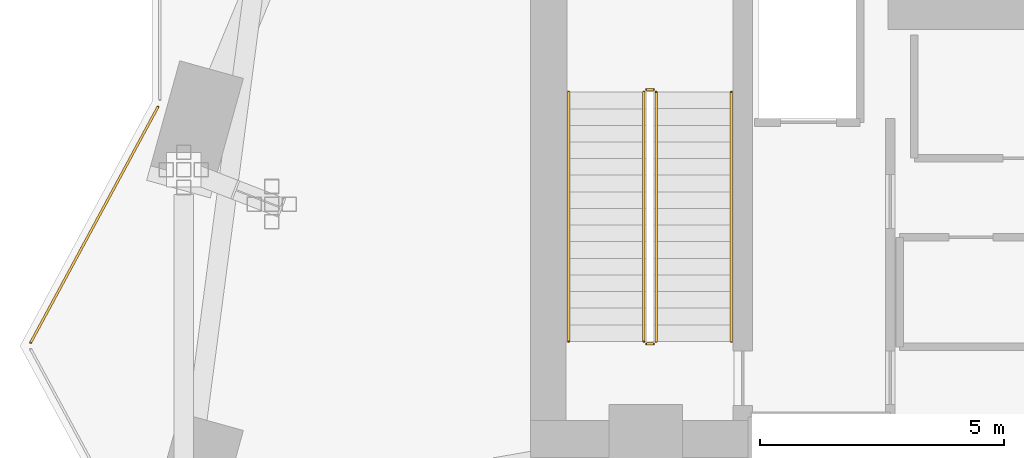
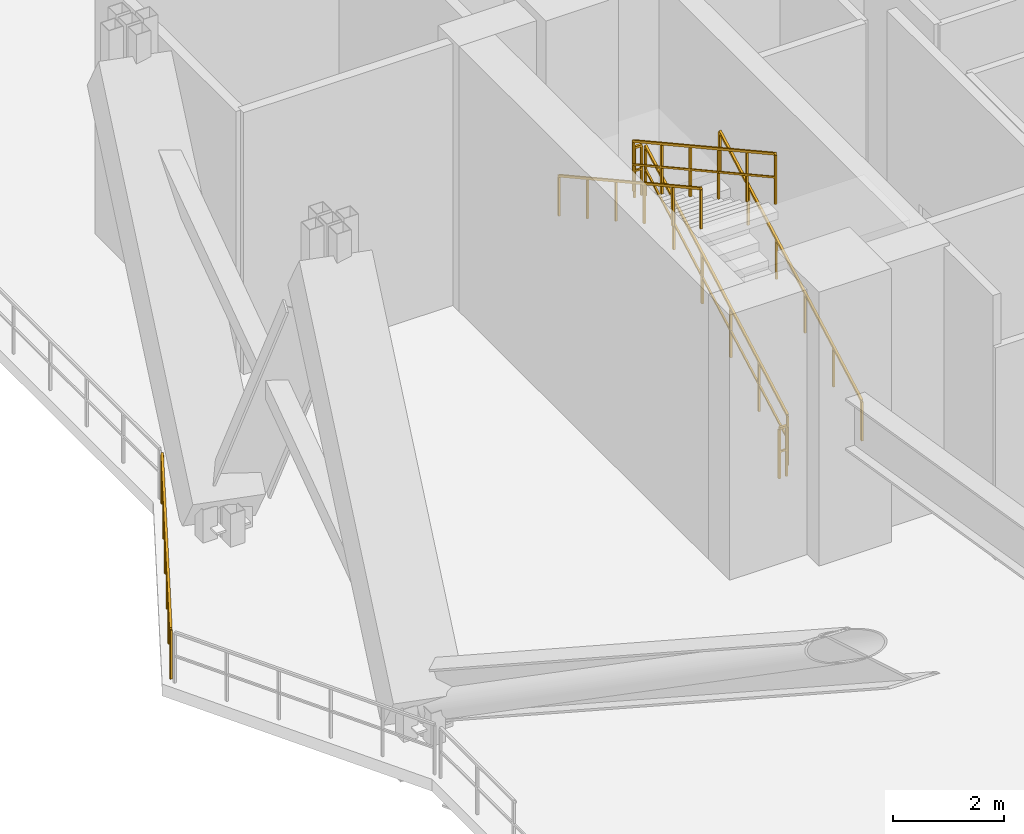
# One storey, part 16 of 18: 7 railings.
"""IFC4 building model written with IfcOpenShell, lengths in metres."""

from ifc_helpers import new_model, si_unit, direction, frame, origin, origin_2d, place, context, subcontext, project, spatial, rectangle, extrude, material, type_object, element, save


model = new_model("IFC4")

# Units and contexts
model_context = context("Model", 3, precision=1e-05, world=origin(), true_north=direction((0.0, 1.0)))
body_context = subcontext(model_context, "Body", "Model", "MODEL_VIEW")
ifc_project = project(units=[si_unit("LENGTHUNIT", "METRE"), si_unit("AREAUNIT", "SQUARE_METRE"), si_unit("VOLUMEUNIT", "CUBIC_METRE"), si_unit("PLANEANGLEUNIT", "RADIAN"), si_unit("MASSUNIT", "GRAM", prefix="KILO")], contexts=[model_context])

# Site, building, storey
site_placement = place(None, origin())
site = spatial("IfcSite", under=ifc_project, at=site_placement, CompositionType="ELEMENT")
building_placement = place(site_placement, origin())
building = spatial("IfcBuilding", under=site, at=building_placement, Name="Zuhayl Quay Hotel", CompositionType="ELEMENT")
storey_placement = place(building_placement, frame((0.0, 0.0, 162.199951171875)))
storey = spatial("IfcBuildingStorey", under=building, at=storey_placement, Name="L41", CompositionType="ELEMENT", Elevation=162.199951171875)

# Railings
ifc_material_1 = material(Name="Anodised Aluminium and Laminated Glass", Category="aluminium")
railing_type_1 = type_object("IfcRailingType", Name="RL_EXT_BAL_1100", PredefinedType="BALUSTRADE", material=ifc_material_1)
railing_1_placement = place(storey_placement, frame((-26.380126953125, 6.5703125, 0.0)))
element("IfcRailing", 1, at=railing_1_placement, inside=storey, type_object=railing_type_1, Name="L41 Balcony and Terrace Guard GR_WIND_L41_05", PredefinedType="BALUSTRADE", context=body_context, shape_type="SweptSolid", body=[
    extrude(rectangle(XDim=0.048095703125, YDim=0.048095703125, at=origin_2d()), frame((0.0, 0.0, 1.09619140625), z_axis=(0.475130966766, 0.879915089324, 0.0), x_axis=(-0.879915089324, 0.475130966766, 0.0)), (0.0, 0.0, 1.0), 5.4765625),
    extrude(rectangle(XDim=0.0361328125, YDim=0.0361328125, at=origin_2d()), frame((0.0, 0.0, 0.58251953125), z_axis=(0.475130966766, 0.879915089324, 0.0), x_axis=(-0.879915089324, 0.475130966766, 0.0)), (0.0, 0.0, 1.0), 5.4765625),
    extrude(rectangle(XDim=0.0419921875, YDim=0.0419921875, at=origin_2d()), origin(), (0.0, 0.0, 1.0), 1.072021484375),
    extrude(rectangle(XDim=0.0419921875, YDim=0.0419921875, at=origin_2d()), frame((0.5205078125, 0.9638671875, 0.0)), (0.0, 0.0, 1.0), 1.072021484375),
    extrude(rectangle(XDim=0.0419921875, YDim=0.0419921875, at=origin_2d()), frame((1.040771484375, 1.927490234375, 0.0)), (0.0, 0.0, 1.0), 1.072021484375),
    extrude(rectangle(XDim=0.0419921875, YDim=0.0419921875, at=origin_2d()), frame((1.561279296875, 2.891357421875, 0.0)), (0.0, 0.0, 1.0), 1.072021484375),
    extrude(rectangle(XDim=0.0419921875, YDim=0.0419921875, at=origin_2d()), frame((2.08154296875, 3.85498046875, 0.0)), (0.0, 0.0, 1.0), 1.072021484375),
    extrude(rectangle(XDim=0.0419921875, YDim=0.0419921875, at=origin_2d()), frame((2.60205078125, 4.81884765625, 0.0)), (0.0, 0.0, 1.0), 1.072021484375),
])
ifc_material_2 = material(Name="Steel ASTM A992 Grade 50", Category="steel")
railing_type_2 = type_object("IfcRailingType", Name="RL_GUARD_1100", PredefinedType="GUARDRAIL", material=ifc_material_2)
railing_2_placement = place(storey_placement, frame((-13.590087890625, 6.590087890625, 0.1875)))
element("IfcRailing", 2, at=railing_2_placement, inside=storey, type_object=railing_type_2, Name="L41 ST1 stair guard 1", PredefinedType="GUARDRAIL", context=body_context, shape_type="SweptSolid", body=[
    extrude(rectangle(XDim=0.048095703125, YDim=0.048095703125, at=origin_2d()), frame((0.0, 0.0, 1.09619140625), z_axis=(0.0, 0.875665712831, 0.482917756322), x_axis=(-1.0, 0.0, 0.0)), (0.0, 0.0, 1.0), 5.823974609375),
    extrude(rectangle(XDim=0.0361328125, YDim=0.0361328125, at=origin_2d()), frame((0.0, 0.0, 0.58251953125), z_axis=(0.0, 0.875665712831, 0.482917756322), x_axis=(-1.0, 0.0, 0.0)), (0.0, 0.0, 1.0), 5.823974609375),
    extrude(rectangle(XDim=0.0419921875, YDim=0.0419921875, at=origin_2d()), origin(), (0.0, 0.0, 1.0), 1.072021484375),
    extrude(rectangle(XDim=0.0419921875, YDim=0.0419921875, at=origin_2d()), frame((0.0, 1.02001953125, 0.5625)), (0.0, 0.0, 1.0), 1.072021484375),
    extrude(rectangle(XDim=0.0419921875, YDim=0.0419921875, at=origin_2d()), frame((0.0, 2.0400390625, 1.125)), (0.0, 0.0, 1.0), 1.072021484375),
    extrude(rectangle(XDim=0.0419921875, YDim=0.0419921875, at=origin_2d()), frame((0.0, 3.059814453125, 1.6875)), (0.0, 0.0, 1.0), 1.072021484375),
    extrude(rectangle(XDim=0.0419921875, YDim=0.0419921875, at=origin_2d()), frame((0.0, 4.079833984375, 2.25)), (0.0, 0.0, 1.0), 1.072021484375),
    extrude(rectangle(XDim=0.0419921875, YDim=0.0419921875, at=origin_2d()), frame((0.0, 5.099853515625, 2.8125)), (0.0, 0.0, 1.0), 1.072021484375),
])
railing_3_placement = place(storey_placement, frame((-13.639892578125, 11.739990234375, 3.0)))
element("IfcRailing", 3, at=railing_3_placement, inside=storey, type_object=railing_type_2, Name="L41 ST1 stair guard 2", PredefinedType="GUARDRAIL", context=body_context, shape_type="SweptSolid", body=[
    extrude(rectangle(XDim=0.048095703125, YDim=0.048095703125, at=origin_2d()), frame((0.0, 0.0, 1.09619140625), z_axis=(-1.0, 0.0, 0.0), x_axis=(0.0, -1.0, 0.0)), (0.0, 0.0, 1.0), 0.150146484375),
    extrude(rectangle(XDim=0.0361328125, YDim=0.0361328125, at=origin_2d()), frame((0.0, 0.0, 0.58251953125), z_axis=(-1.0, 0.0, 0.0), x_axis=(0.0, -1.0, 0.0)), (0.0, 0.0, 1.0), 0.150146484375),
    extrude(rectangle(XDim=0.0419921875, YDim=0.0419921875, at=origin_2d()), origin(), (0.0, 0.0, 1.0), 1.072021484375),
    extrude(rectangle(XDim=0.0419921875, YDim=0.0419921875, at=origin_2d()), frame((-0.150146484375, 0.0, 0.0)), (0.0, 0.0, 1.0), 1.072021484375),
])
railing_4_placement = place(storey_placement, frame((-13.840087890625, 11.68994140625, 3.1875)))
element("IfcRailing", 4, at=railing_4_placement, inside=storey, type_object=railing_type_2, Name="L41 ST1 stair guard 3", PredefinedType="GUARDRAIL", context=body_context, shape_type="SweptSolid", body=[
    extrude(rectangle(XDim=0.048095703125, YDim=0.048095703125, at=origin_2d()), frame((0.0, 0.0, 1.09619140625), z_axis=(0.0, -0.875665712831, 0.482917756322), x_axis=(1.0, 0.0, 0.0)), (0.0, 0.0, 1.0), 5.823974609375),
    extrude(rectangle(XDim=0.0361328125, YDim=0.0361328125, at=origin_2d()), frame((0.0, 0.0, 0.58251953125), z_axis=(0.0, -0.875665712831, 0.482917756322), x_axis=(1.0, 0.0, 0.0)), (0.0, 0.0, 1.0), 5.823974609375),
    extrude(rectangle(XDim=0.0419921875, YDim=0.0419921875, at=origin_2d()), origin(), (0.0, 0.0, 1.0), 1.072021484375),
    extrude(rectangle(XDim=0.0419921875, YDim=0.0419921875, at=origin_2d()), frame((0.0, -1.02001953125, 0.5625)), (0.0, 0.0, 1.0), 1.072021484375),
    extrude(rectangle(XDim=0.0419921875, YDim=0.0419921875, at=origin_2d()), frame((0.0, -2.0400390625, 1.125)), (0.0, 0.0, 1.0), 1.072021484375),
    extrude(rectangle(XDim=0.0419921875, YDim=0.0419921875, at=origin_2d()), frame((0.0, -3.059814453125, 1.6875)), (0.0, 0.0, 1.0), 1.072021484375),
    extrude(rectangle(XDim=0.0419921875, YDim=0.0419921875, at=origin_2d()), frame((0.0, -4.079833984375, 2.25)), (0.0, 0.0, 1.0), 1.072021484375),
    extrude(rectangle(XDim=0.0419921875, YDim=0.0419921875, at=origin_2d()), frame((0.0, -5.099853515625, 2.8125)), (0.0, 0.0, 1.0), 1.072021484375),
])
railing_5_placement = place(storey_placement, frame((-13.639892578125, 6.5400390625, 0.0)))
element("IfcRailing", 5, at=railing_5_placement, inside=storey, type_object=railing_type_2, Name="L41 ST1 stair guard 4", PredefinedType="GUARDRAIL", context=body_context, shape_type="SweptSolid", body=[
    extrude(rectangle(XDim=0.048095703125, YDim=0.048095703125, at=origin_2d()), frame((0.0, 0.0, 1.09619140625), z_axis=(-1.0, 0.0, 0.0), x_axis=(0.0, -1.0, 0.0)), (0.0, 0.0, 1.0), 0.150146484375),
    extrude(rectangle(XDim=0.0361328125, YDim=0.0361328125, at=origin_2d()), frame((0.0, 0.0, 0.58251953125), z_axis=(-1.0, 0.0, 0.0), x_axis=(0.0, -1.0, 0.0)), (0.0, 0.0, 1.0), 0.150146484375),
    extrude(rectangle(XDim=0.0419921875, YDim=0.0419921875, at=origin_2d()), origin(), (0.0, 0.0, 1.0), 1.072021484375),
    extrude(rectangle(XDim=0.0419921875, YDim=0.0419921875, at=origin_2d()), frame((-0.150146484375, 0.0, 0.0)), (0.0, 0.0, 1.0), 1.072021484375),
])
railing_type_3 = type_object("IfcRailingType", Name="RL_HANDRAIL_920", PredefinedType="HANDRAIL", material=ifc_material_2)
railing_6_placement = place(storey_placement, frame((-12.050048828125, 6.590087890625, 0.1875)))
element("IfcRailing", 6, at=railing_6_placement, inside=storey, type_object=railing_type_3, Name="L41 ST1 stair handrail 1", PredefinedType="HANDRAIL", context=body_context, shape_type="SweptSolid", body=[
    extrude(rectangle(XDim=0.048095703125, YDim=0.048095703125, at=origin_2d()), frame((0.0, 0.0, 0.8759765625), z_axis=(0.0, 0.875665712831, 0.482917756322), x_axis=(-1.0, 0.0, 0.0)), (0.0, 0.0, 1.0), 5.823974609375),
    extrude(rectangle(XDim=0.0419921875, YDim=0.0419921875, at=origin_2d()), origin(), (0.0, 0.0, 1.0), 0.851806640625),
    extrude(rectangle(XDim=0.0419921875, YDim=0.0419921875, at=origin_2d()), frame((0.0, 1.02001953125, 0.5625)), (0.0, 0.0, 1.0), 0.851806640625),
    extrude(rectangle(XDim=0.0419921875, YDim=0.0419921875, at=origin_2d()), frame((0.0, 2.0400390625, 1.125)), (0.0, 0.0, 1.0), 0.851806640625),
    extrude(rectangle(XDim=0.0419921875, YDim=0.0419921875, at=origin_2d()), frame((0.0, 3.059814453125, 1.6875)), (0.0, 0.0, 1.0), 0.851806640625),
    extrude(rectangle(XDim=0.0419921875, YDim=0.0419921875, at=origin_2d()), frame((0.0, 4.079833984375, 2.25)), (0.0, 0.0, 1.0), 0.851806640625),
    extrude(rectangle(XDim=0.0419921875, YDim=0.0419921875, at=origin_2d()), frame((0.0, 5.099853515625, 2.8125)), (0.0, 0.0, 1.0), 0.851806640625),
])
railing_7_placement = place(storey_placement, frame((-15.3798828125, 11.68994140625, 3.1875)))
element("IfcRailing", 7, at=railing_7_placement, inside=storey, type_object=railing_type_3, Name="L41 ST1 stair handrail 2", PredefinedType="HANDRAIL", context=body_context, shape_type="SweptSolid", body=[
    extrude(rectangle(XDim=0.048095703125, YDim=0.048095703125, at=origin_2d()), frame((0.0, 0.0, 0.8759765625), z_axis=(0.0, -0.875665712831, 0.482917756322), x_axis=(1.0, 0.0, 0.0)), (0.0, 0.0, 1.0), 5.823974609375),
    extrude(rectangle(XDim=0.0419921875, YDim=0.0419921875, at=origin_2d()), origin(), (0.0, 0.0, 1.0), 0.851806640625),
    extrude(rectangle(XDim=0.0419921875, YDim=0.0419921875, at=origin_2d()), frame((0.0, -1.02001953125, 0.5625)), (0.0, 0.0, 1.0), 0.851806640625),
    extrude(rectangle(XDim=0.0419921875, YDim=0.0419921875, at=origin_2d()), frame((0.0, -2.0400390625, 1.125)), (0.0, 0.0, 1.0), 0.851806640625),
    extrude(rectangle(XDim=0.0419921875, YDim=0.0419921875, at=origin_2d()), frame((0.0, -3.059814453125, 1.6875)), (0.0, 0.0, 1.0), 0.851806640625),
    extrude(rectangle(XDim=0.0419921875, YDim=0.0419921875, at=origin_2d()), frame((0.0, -4.079833984375, 2.25)), (0.0, 0.0, 1.0), 0.851806640625),
    extrude(rectangle(XDim=0.0419921875, YDim=0.0419921875, at=origin_2d()), frame((0.0, -5.099853515625, 2.8125)), (0.0, 0.0, 1.0), 0.851806640625),
])

save(model, "model.ifc")
